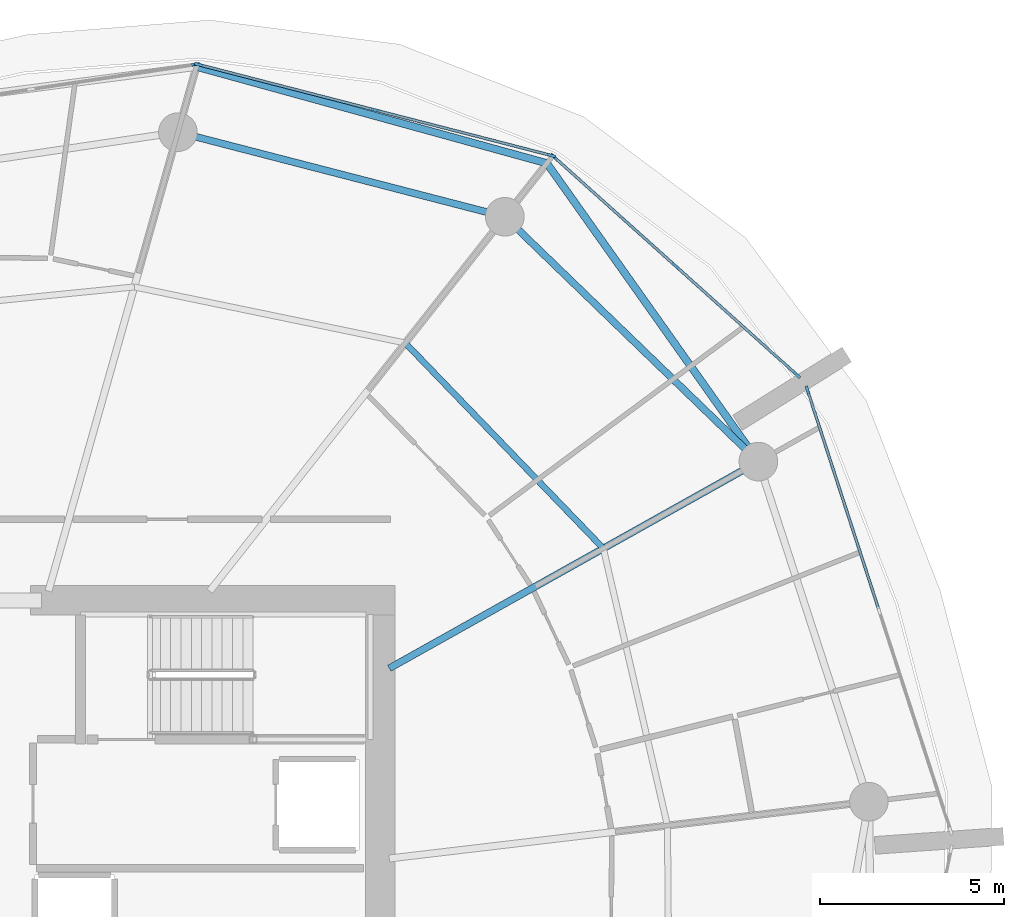
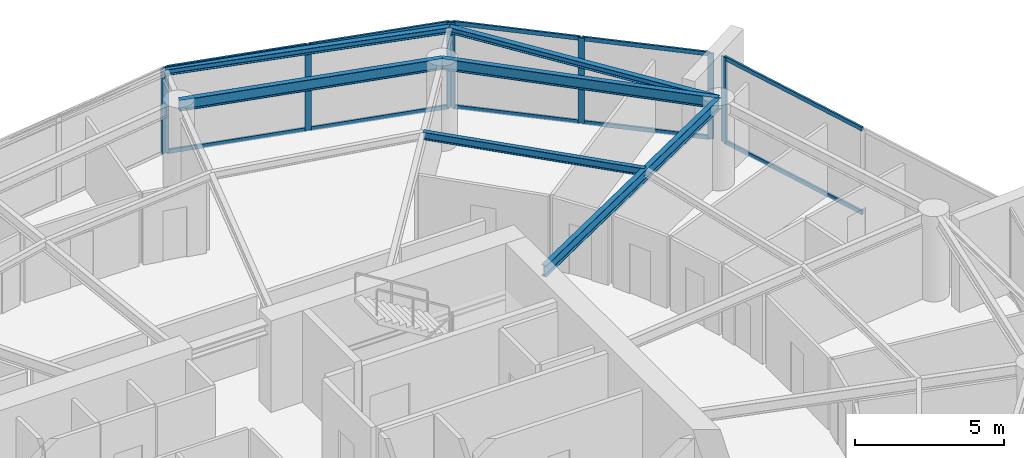
# One storey, part 10 of 17: 18 members, 6 beams, 4 elements without a shape of their own.
"""IFC4 building model written with IfcOpenShell, lengths in metres."""

import ifcopenshell
import ifcopenshell.guid

model = None  # the IFC model being written
_history = None  # IfcOwnerHistory: only IFC2X3 demands one
_inside = {}  # id of a spatial element -> (the spatial element, [elements in it])
_under = {}  # id of a project, library or spatial element -> (it, [spatial elements below it])
_declared = {}  # id of a project -> (the project, [libraries it declares])
_typed = {}  # id of a type object -> (the type object, [elements of that type])
_made_of = {}  # id of a material, layer set ... -> (it, [elements and type objects made of it])


def new_model(schema):
    """Start an empty IFC model of exactly this schema.

    Asked for "IFC4X3", IfcOpenShell would pick the latest addendum, in which some entities
    have other attributes; the version numbers below select the first issue.
    IFC2X3 requires an IfcOwnerHistory on every rooted entity: one is made here for all.
    """
    global model, _history
    if schema == "IFC4X3":
        model = ifcopenshell.file(schema_version=(4, 3, 0, 0))
    else:
        model = ifcopenshell.file(schema=schema)
    _inside.clear()
    _under.clear()
    _declared.clear()
    _typed.clear()
    _made_of.clear()
    _history = None
    if model.schema == "IFC2X3":
        org = make("IfcOrganization", Name="unknown")
        user = make(
            "IfcPersonAndOrganization",
            ThePerson=make("IfcPerson", FamilyName="unknown"),
            TheOrganization=org,
        )
        app = make(
            "IfcApplication",
            ApplicationDeveloper=org,
            Version="unknown",
            ApplicationFullName="unknown",
            ApplicationIdentifier="unknown",
        )
        _history = make(
            "IfcOwnerHistory",
            OwningUser=user,
            OwningApplication=app,
            ChangeAction="ADDED",
            CreationDate=0,
        )
    return model


def make(cls, **values):
    """One entity of the class cls with the attributes given. An attribute that is None is left unset."""
    return model.create_entity(
        cls, **{name: value for name, value in values.items() if value is not None}
    )


def rooted(cls, **values):
    """An entity with a GlobalId (a new one), such as an element, a storey or a relation."""
    return make(cls, GlobalId=ifcopenshell.guid.new(), OwnerHistory=_history, **values)


def si_unit(unit_type, name, prefix=None):
    """IfcSIUnit, for example si_unit("LENGTHUNIT", "METRE", prefix="MILLI")."""
    return make("IfcSIUnit", UnitType=unit_type, Prefix=prefix, Name=name)


def assignment(units):
    """IfcUnitAssignment: the units of a project."""
    return None if units is None else make("IfcUnitAssignment", Units=units)


def point(xyz):
    """IfcCartesianPoint."""
    return None if xyz is None else make("IfcCartesianPoint", Coordinates=xyz)


def direction(xyz):
    """IfcDirection."""
    return None if xyz is None else make("IfcDirection", DirectionRatios=xyz)


def frame(location, z_axis=None, x_axis=None):
    """IfcAxis2Placement3D, a coordinate frame: its origin and axes. An axis left out is left unset."""
    return make(
        "IfcAxis2Placement3D",
        Location=point(location),
        Axis=direction(z_axis),
        RefDirection=direction(x_axis),
    )


def frame_2d(location, x_axis=None):
    """IfcAxis2Placement2D, a coordinate frame in the plane: its origin and x axis."""
    return make(
        "IfcAxis2Placement2D", Location=point(location), RefDirection=direction(x_axis)
    )


def origin():
    """The frame at (0, 0, 0) with its axes left unset."""
    return frame((0.0, 0.0, 0.0))


def origin_2d():
    """The frame at (0, 0) in the plane with its x axis left unset."""
    return frame_2d((0.0, 0.0))


def place(relative_to, where):
    """IfcLocalPlacement: puts the frame where relative to a parent placement (None: the world)."""
    return make(
        "IfcLocalPlacement", PlacementRelTo=relative_to, RelativePlacement=where
    )


def context(
    kind, dimensions, precision=None, world=None, true_north=None, identifier=None
):
    """IfcGeometricRepresentationContext, for example the 3D "Model" context."""
    return make(
        "IfcGeometricRepresentationContext",
        ContextIdentifier=identifier,
        ContextType=kind,
        CoordinateSpaceDimension=dimensions,
        Precision=precision,
        WorldCoordinateSystem=world,
        TrueNorth=true_north,
    )


def subcontext(parent, identifier, kind, view, scale=None):
    """IfcGeometricRepresentationSubContext, for example "Body" below "Model"."""
    return make(
        "IfcGeometricRepresentationSubContext",
        ContextIdentifier=identifier,
        ContextType=kind,
        ParentContext=parent,
        TargetScale=scale,
        TargetView=view,
    )


def project(units=None, contexts=None):
    """IfcProject with its units and contexts."""
    return rooted(
        "IfcProject",
        Name="project",
        RepresentationContexts=contexts,
        UnitsInContext=assignment(units),
    )


def spatial(cls, under=None, at=None, **own):
    """A site, building, storey or space (cls), placed at a placement, below another one or the project."""
    s = rooted(cls, ObjectPlacement=at, **own)
    if under is not None:
        _under.setdefault(under.id(), (under, []))[1].append(s)
    return s


def profile(cls, at=None, kind="AREA", **sizes):
    """A parametric profile (cls). Its sizes go by their IFC names, for example OverallWidth=200.0."""
    return make(cls, ProfileType=kind, Position=at, **sizes)


def rectangle(**sizes):
    """IfcRectangleProfileDef."""
    return profile("IfcRectangleProfileDef", **sizes)


def i_section(**sizes):
    """IfcIShapeProfileDef."""
    return profile("IfcIShapeProfileDef", **sizes)


def extrude(swept, where, along, depth):
    """IfcExtrudedAreaSolid: the profile swept, set in the frame where, extruded along a direction by depth."""
    return make(
        "IfcExtrudedAreaSolid",
        SweptArea=swept,
        Position=where,
        ExtrudedDirection=direction(along),
        Depth=depth,
    )


def shape(context_of_items, identifier, shape_type, items):
    """IfcShapeRepresentation: the items that make up one representation, for example the "Body"."""
    return make(
        "IfcShapeRepresentation",
        ContextOfItems=context_of_items,
        RepresentationIdentifier=identifier,
        RepresentationType=shape_type,
        Items=items,
    )


def material(Name=None, Category=None):
    """IfcMaterial."""
    return make("IfcMaterial", Name=Name, Category=Category)


def layer(
    of_material, thickness, ventilated=None, Name=None, Category=None, Priority=None
):
    """IfcMaterialLayer: one layer of a wall or slab, of a material (None: an air gap)."""
    return make(
        "IfcMaterialLayer",
        Material=of_material,
        LayerThickness=thickness,
        IsVentilated=ventilated,
        Name=Name,
        Category=Category,
        Priority=Priority,
    )


def layer_set(layers, Name=None):
    """IfcMaterialLayerSet."""
    return make("IfcMaterialLayerSet", MaterialLayers=layers, LayerSetName=Name)


def material_profile(
    of_material, cross_section, Name=None, Category=None, Priority=None
):
    """IfcMaterialProfile: a cross section and its material."""
    return make(
        "IfcMaterialProfile",
        Name=Name,
        Material=of_material,
        Profile=cross_section,
        Priority=Priority,
        Category=Category,
    )


def profile_set(profiles, Name=None, composite=None):
    """IfcMaterialProfileSet."""
    return make(
        "IfcMaterialProfileSet",
        Name=Name,
        MaterialProfiles=profiles,
        CompositeProfile=composite,
    )


def made_of(thing, what):
    """Note that an element or type object is made of a material, layer set ...; save() writes the relation."""
    if what is not None:
        _made_of.setdefault(what.id(), (what, []))[1].append(thing)
    return thing


def type_object(cls, material=None, **own):
    """A type object (cls), such as IfcWallType, which elements share."""
    return made_of(rooted(cls, **own), material)


def element(
    cls,
    number,
    at=None,
    inside=None,
    cuts=None,
    type_object=None,
    material=None,
    context=None,
    identifier="Body",
    shape_type=None,
    held_by="IfcProductDefinitionShape",
    body=None,
    shapes=None,
    **own,
):
    """One element of the class cls, such as IfcWall. Its Tag is "e" and its number.

    at: its placement. inside: the storey or other place that contains it. cuts: it is an
    opening in that element (IfcRelVoidsElement). A single representation is given by context,
    identifier, shape_type and body (its items); several are given by shapes. held_by: the class
    of the entity that holds the representations. save() writes the other relations.
    """
    e = rooted(cls, Tag="e%d" % number, ObjectPlacement=at, **own)
    if body is not None:
        shapes = [shape(context, identifier, shape_type, body)]
    if shapes is not None:
        e.Representation = make(held_by, Representations=shapes)
    if inside is not None:
        _inside.setdefault(inside.id(), (inside, []))[1].append(e)
    if cuts is not None:
        rooted(
            "IfcRelVoidsElement", RelatingBuildingElement=cuts, RelatedOpeningElement=e
        )
    if type_object is not None:
        _typed.setdefault(type_object.id(), (type_object, []))[1].append(e)
    return made_of(e, material)


def aggregate(whole, parts):
    """IfcRelAggregates: a whole, such as a stair, and the parts it consists of."""
    return rooted("IfcRelAggregates", RelatingObject=whole, RelatedObjects=parts)


def save(model, path):
    """Write the relations noted so far, then the file.

    IfcRelAggregates (storeys below a building ...), IfcRelContainedInSpatialStructure (elements
    in a storey), IfcRelDefinesByType, IfcRelAssociatesMaterial and IfcRelDeclares: one each for
    every whole, place, type object, material and project.
    """
    for whole, parts in _under.values():
        aggregate(whole, parts)
    for where, things in _inside.values():
        rooted(
            "IfcRelContainedInSpatialStructure",
            RelatedElements=things,
            RelatingStructure=where,
        )
    for kind, things in _typed.values():
        rooted("IfcRelDefinesByType", RelatedObjects=things, RelatingType=kind)
    for what, things in _made_of.values():
        rooted("IfcRelAssociatesMaterial", RelatedObjects=things, RelatingMaterial=what)
    for by, libraries in _declared.values():
        rooted("IfcRelDeclares", RelatingContext=by, RelatedDefinitions=libraries)
    model.write(path)


model = new_model("IFC4")

# Units and contexts
model_context = context("Model", 3, precision=1e-05, world=origin(), true_north=direction((0.0, 1.0)))
body_context = subcontext(model_context, "Body", "Model", "MODEL_VIEW")
ifc_project = project(units=[si_unit("LENGTHUNIT", "METRE"), si_unit("AREAUNIT", "SQUARE_METRE"), si_unit("VOLUMEUNIT", "CUBIC_METRE"), si_unit("PLANEANGLEUNIT", "RADIAN"), si_unit("MASSUNIT", "GRAM", prefix="KILO")], contexts=[model_context])

# Site, building, storey
site_placement = place(None, origin())
site = spatial("IfcSite", under=ifc_project, at=site_placement, CompositionType="ELEMENT")
building_placement = place(site_placement, origin())
building = spatial("IfcBuilding", under=site, at=building_placement, Name="Kazma Halo Residences", CompositionType="ELEMENT")
storey_placement = place(building_placement, frame((0.0, 0.0, 127.800048828125)))
storey = spatial("IfcBuildingStorey", under=building, at=storey_placement, Name="L31", CompositionType="ELEMENT", Elevation=127.800048828125)

# Beams
ifc_material_1 = material(Name="Steel S355", Category="steel")
ifc_material_profile_1 = material_profile(ifc_material_1, i_section(OverallWidth=0.201904296875, OverallDepth=0.2470703125, WebThickness=0.00732421875, FlangeThickness=0.010986328125, FilletRadius=0.011962890625, at=origin_2d()), Name="W250x49.1")
ifc_profile_set_1 = profile_set([ifc_material_profile_1], Name="Steel S355")
beam_type_1 = type_object("IfcBeamType", Name="BM-BAL-CANT", PredefinedType="BEAM", material=ifc_profile_set_1)
beam_1_placement = place(storey_placement, frame((69.730224609375, 54.16943359375, 3.37646484375), z_axis=(-0.578203432081, 0.81589263456, 0.0), x_axis=(-0.81589263456, -0.578203432081, 0.0)))
element("IfcBeam", 1, at=beam_1_placement, inside=storey, type_object=beam_type_1, Name="L31 wave-balcony lead tie beam 01", PredefinedType="BEAM", context=body_context, shape_type="SweptSolid", body=[
    extrude(i_section(OverallWidth=0.201904296875, OverallDepth=0.2470703125, WebThickness=0.00732421875, FlangeThickness=0.010986328125, FilletRadius=0.011962890625, at=origin_2d()), origin(), (0.0, 0.0, 1.0), 9.9365234375),
])
beam_2_placement = place(storey_placement, frame((63.98486328125, 62.276611328125, 3.37646484375), z_axis=(-0.964045237638, 0.265738179019, 0.0), x_axis=(-0.265738179019, -0.964045237638, 0.0)))
element("IfcBeam", 2, at=beam_2_placement, inside=storey, type_object=beam_type_1, Name="L31 wave-balcony tie beam 02", PredefinedType="BEAM", context=body_context, shape_type="SweptSolid", body=[
    extrude(i_section(OverallWidth=0.201904296875, OverallDepth=0.2470703125, WebThickness=0.00732421875, FlangeThickness=0.010986328125, FilletRadius=0.011962890625, at=origin_2d()), origin(), (0.0, 0.0, 1.0), 9.880859375),
])
ifc_material_profile_2 = material_profile(ifc_material_1, i_section(OverallWidth=0.18994140625, OverallDepth=0.45703125, WebThickness=0.009033203125, FlangeThickness=0.014404296875, FilletRadius=0.01611328125, at=origin_2d()), Name="W460x74")
ifc_profile_set_2 = profile_set([ifc_material_profile_2], Name="Steel S355")
beam_type_2 = type_object("IfcBeamType", Name="BM-RAD-W460", PredefinedType="BEAM", material=ifc_profile_set_2)
beam_3_placement = place(storey_placement, frame((59.699951171875, 48.55224609375, 3.271484375), z_axis=(0.872497324456, 0.488618889132, 0.0), x_axis=(-0.488618889132, 0.872497324456, 0.0)))
element("IfcBeam", 3, at=beam_3_placement, inside=storey, type_object=beam_type_2, Name="L31 radial floor beam 01", PredefinedType="BEAM", context=body_context, shape_type="SweptSolid", body=[
    extrude(i_section(OverallWidth=0.18994140625, OverallDepth=0.45703125, WebThickness=0.009033203125, FlangeThickness=0.014404296875, FilletRadius=0.01611328125, at=origin_2d()), origin(), (0.0, 0.0, 1.0), 11.49609375),
])
ifc_material_profile_3 = material_profile(ifc_material_1, i_section(OverallWidth=0.1650390625, OverallDepth=0.31005859375, WebThickness=0.005859375, FlangeThickness=0.009765625, FilletRadius=0.011962890625, at=origin_2d()), Name="W310x38.7")
ifc_profile_set_3 = profile_set([ifc_material_profile_3], Name="Steel S355")
beam_type_3 = type_object("IfcBeamType", Name="BM-SEC-W310B", PredefinedType="JOIST", material=ifc_profile_set_3)
beam_4_placement = place(storey_placement, frame((65.517578125, 51.810302734375, 3.344970703125), z_axis=(-0.694049338985, 0.719927437354, 0.0), x_axis=(-0.719927437354, -0.694049338985, 0.0)))
element("IfcBeam", 4, at=beam_4_placement, inside=storey, type_object=beam_type_3, Name="L31 circumferential floor joist 01", PredefinedType="JOIST", context=body_context, shape_type="SweptSolid", body=[
    extrude(i_section(OverallWidth=0.1650390625, OverallDepth=0.31005859375, WebThickness=0.005859375, FlangeThickness=0.009765625, FilletRadius=0.011962890625, at=origin_2d()), origin(), (0.0, 0.0, 1.0), 7.7548828125),
])
ifc_material_profile_4 = material_profile(ifc_material_1, i_section(OverallWidth=0.18994140625, OverallDepth=0.45703125, WebThickness=0.009033203125, FlangeThickness=0.014404296875, FilletRadius=0.01611328125, at=origin_2d()), Name="W460x74")
ifc_profile_set_4 = profile_set([ifc_material_profile_4], Name="Steel S355")
beam_type_4 = type_object("IfcBeamType", Name="BM-SPN-W460", PredefinedType="BEAM", material=ifc_profile_set_4)
beam_5_placement = place(storey_placement, frame((69.730224609375, 54.16943359375, 3.271484375), z_axis=(-0.719334705845, 0.694663645923, 0.0), x_axis=(-0.694663645923, -0.719334705845, 0.0)))
element("IfcBeam", 5, at=beam_5_placement, inside=storey, type_object=beam_type_4, Name="L31 perimeter ring beam 01", PredefinedType="BEAM", context=body_context, shape_type="SweptSolid", body=[
    extrude(i_section(OverallWidth=0.18994140625, OverallDepth=0.45703125, WebThickness=0.009033203125, FlangeThickness=0.014404296875, FilletRadius=0.01611328125, at=origin_2d()), origin(), (0.0, 0.0, 1.0), 9.5791015625),
])
beam_6_placement = place(storey_placement, frame((62.839599609375, 60.82373046875, 3.271484375), z_axis=(-0.968123664213, 0.250472694699, 0.0), x_axis=(-0.250472694699, -0.968123664213, 0.0)))
element("IfcBeam", 6, at=beam_6_placement, inside=storey, type_object=beam_type_4, Name="L31 perimeter ring beam 02", PredefinedType="BEAM", context=body_context, shape_type="SweptSolid", body=[
    extrude(i_section(OverallWidth=0.18994140625, OverallDepth=0.45703125, WebThickness=0.009033203125, FlangeThickness=0.014404296875, FilletRadius=0.01611328125, at=origin_2d()), origin(), (0.0, 0.0, 1.0), 9.175048828125),
])

# Curtain wall, members
ifc_material_2 = material(Name="Aluminium AW-6063 T6 and Triple-Silver Low-E Glass", Category="aluminium")
ifc_layer = layer(ifc_material_2, 0.219970703125)
ifc_layer_set = layer_set([ifc_layer], Name="Aluminium AW-6063 T6 and Triple-Silver Low-E Glass")
curtain_wall_type = type_object("IfcCurtainWallType", Name="CW-SYS-4", PredefinedType="NOTDEFINED", material=ifc_layer_set)
curtain_wall_1_placement = place(storey_placement, origin())
curtain_wall_1 = element("IfcCurtainWall", 7, at=curtain_wall_1_placement, inside=storey, type_object=curtain_wall_type, Name="L31 unitised curtain wall B01", PredefinedType="NOTDEFINED")
ifc_material_3 = material(Name="Aluminium AW-6063 T6", Category="aluminium")
ifc_material_profile_5 = material_profile(ifc_material_3, rectangle(XDim=0.074951171875, YDim=0.219970703125, at=origin_2d()), Name="CWM-75x220")
ifc_profile_set_5 = profile_set([ifc_material_profile_5], Name="Aluminium AW-6063 T6")
member_type_1 = type_object("IfcMemberType", Name="CW-SYS-4-MUL", PredefinedType="MULLION", material=ifc_profile_set_5)
member_1_placement = place(storey_placement, frame((70.778564453125, 56.5263671875, 0.0), z_axis=(0.0, 0.0, 1.0), x_axis=(-0.667770096247, -0.744367582957, 0.0)))
member_1 = element("IfcMember", 8, at=member_1_placement, type_object=member_type_1, Name="CWS-4 mullion 1", PredefinedType="MULLION", context=body_context, shape_type="SweptSolid", body=[
    extrude(rectangle(XDim=0.074951171875, YDim=0.219970703125, at=origin_2d()), origin(), (0.0, 0.0, 1.0), 3.5),
])
member_2_placement = place(storey_placement, frame((67.47509765625, 59.48974609375, 0.0), z_axis=(0.0, 0.0, 1.0), x_axis=(-0.667770096247, -0.744367582957, 0.0)))
member_2 = element("IfcMember", 9, at=member_2_placement, type_object=member_type_1, Name="CWS-4 mullion 2", PredefinedType="MULLION", context=body_context, shape_type="SweptSolid", body=[
    extrude(rectangle(XDim=0.074951171875, YDim=0.219970703125, at=origin_2d()), origin(), (0.0, 0.0, 1.0), 3.5),
])
member_3_placement = place(storey_placement, frame((64.171630859375, 62.453369140625, 0.0), z_axis=(0.0, 0.0, 1.0), x_axis=(-0.667770096247, -0.744367582957, 0.0)))
member_3 = element("IfcMember", 10, at=member_3_placement, type_object=member_type_1, Name="CWS-4 mullion 3", PredefinedType="MULLION", context=body_context, shape_type="SweptSolid", body=[
    extrude(rectangle(XDim=0.074951171875, YDim=0.219970703125, at=origin_2d()), origin(), (0.0, 0.0, 1.0), 3.5),
])

curtain_wall_2_placement = place(storey_placement, origin())
curtain_wall_2 = element("IfcCurtainWall", 11, at=curtain_wall_2_placement, inside=storey, type_object=curtain_wall_type, Name="L31 unitised curtain wall B02", PredefinedType="NOTDEFINED")
member_4_placement = place(storey_placement, frame((64.107421875, 62.487548828125, 0.0), z_axis=(0.0, 0.0, 1.0), x_axis=(-0.249478648955, -0.968380299116, 0.0)))
member_4 = element("IfcMember", 12, at=member_4_placement, type_object=member_type_1, Name="CWS-4 mullion 1", PredefinedType="MULLION", context=body_context, shape_type="SweptSolid", body=[
    extrude(rectangle(XDim=0.074951171875, YDim=0.219970703125, at=origin_2d()), origin(), (0.0, 0.0, 1.0), 3.5),
])
member_5_placement = place(storey_placement, frame((59.310791015625, 63.723388671875, 0.0), z_axis=(0.0, 0.0, 1.0), x_axis=(-0.249478648955, -0.968380299116, 0.0)))
member_5 = element("IfcMember", 13, at=member_5_placement, type_object=member_type_1, Name="CWS-4 mullion 2", PredefinedType="MULLION", context=body_context, shape_type="SweptSolid", body=[
    extrude(rectangle(XDim=0.074951171875, YDim=0.219970703125, at=origin_2d()), origin(), (0.0, 0.0, 1.0), 3.5),
])
member_6_placement = place(storey_placement, frame((54.51416015625, 64.959228515625, 0.0), z_axis=(0.0, 0.0, 1.0), x_axis=(-0.249478648955, -0.968380299116, 0.0)))
member_6 = element("IfcMember", 14, at=member_6_placement, type_object=member_type_1, Name="CWS-4 mullion 3", PredefinedType="MULLION", context=body_context, shape_type="SweptSolid", body=[
    extrude(rectangle(XDim=0.074951171875, YDim=0.219970703125, at=origin_2d()), origin(), (0.0, 0.0, 1.0), 3.5),
])

# Curtain wall, member
curtain_wall_3_placement = place(storey_placement, origin())
curtain_wall_3 = element("IfcCurtainWall", 15, at=curtain_wall_3_placement, inside=storey, type_object=curtain_wall_type, Name="L31 unitised curtain wall B03", PredefinedType="NOTDEFINED")
member_7_placement = place(storey_placement, frame((54.440673828125, 64.962890625, 0.0), z_axis=(0.0, 0.0, 1.0), x_axis=(0.148821022686, -0.988864148004, 0.0)))
member_7 = element("IfcMember", 16, at=member_7_placement, type_object=member_type_1, Name="CWS-4 mullion 1", PredefinedType="MULLION", context=body_context, shape_type="SweptSolid", body=[
    extrude(rectangle(XDim=0.074951171875, YDim=0.219970703125, at=origin_2d()), origin(), (0.0, 0.0, 1.0), 3.5),
])
aggregate(curtain_wall_3, [member_7])

curtain_wall_4_placement = place(storey_placement, origin())
curtain_wall_4 = element("IfcCurtainWall", 17, at=curtain_wall_4_placement, inside=storey, type_object=curtain_wall_type, Name="L31 unitised curtain wall B16", PredefinedType="NOTDEFINED")
member_8_placement = place(storey_placement, frame((71.062255859375, 56.117431640625, 0.0), z_axis=(0.0, 0.0, 1.0), x_axis=(-0.951057547609, -0.3090138203, 0.0)))
member_8 = element("IfcMember", 18, at=member_8_placement, type_object=member_type_1, Name="CWS-4 mullion 3", PredefinedType="MULLION", context=body_context, shape_type="SweptSolid", body=[
    extrude(rectangle(XDim=0.074951171875, YDim=0.219970703125, at=origin_2d()), origin(), (0.0, 0.0, 1.0), 3.5),
])

# Member
ifc_material_profile_6 = material_profile(ifc_material_3, rectangle(XDim=0.074951171875, YDim=0.1650390625, at=origin_2d()), Name="CWT-75x165")
ifc_profile_set_6 = profile_set([ifc_material_profile_6], Name="Aluminium AW-6063 T6")
member_type_2 = type_object("IfcMemberType", Name="CW-SYS-4-TRN", PredefinedType="USERDEFINED", material=ifc_profile_set_6)
member_9_placement = place(storey_placement, frame((70.75048828125, 56.55126953125, 0.037353515625), z_axis=(-0.744344978888, 0.66779529229, 0.0), x_axis=(-0.66779529229, -0.744344978888, 0.0)))
member_9 = element("IfcMember", 19, at=member_9_placement, type_object=member_type_2, Name="CWS-4 transom 1.1", ObjectType="TRANSOM", PredefinedType="USERDEFINED", context=body_context, shape_type="SweptSolid", body=[
    extrude(rectangle(XDim=0.074951171875, YDim=0.1650390625, at=origin_2d()), origin(), (0.0, 0.0, 1.0), 4.363037109375),
])

member_10_placement = place(storey_placement, frame((70.75048828125, 56.55126953125, 3.46240234375), z_axis=(-0.744344978888, 0.66779529229, 0.0), x_axis=(-0.66779529229, -0.744344978888, 0.0)))
member_10 = element("IfcMember", 20, at=member_10_placement, type_object=member_type_2, Name="CWS-4 transom 1.2", ObjectType="TRANSOM", PredefinedType="USERDEFINED", context=body_context, shape_type="SweptSolid", body=[
    extrude(rectangle(XDim=0.074951171875, YDim=0.1650390625, at=origin_2d()), origin(), (0.0, 0.0, 1.0), 4.363037109375),
])

member_11_placement = place(storey_placement, frame((67.447265625, 59.514892578125, 0.037353515625), z_axis=(-0.744372794017, 0.667764287401, 0.0), x_axis=(-0.667764287401, -0.744372794017, 0.0)))
member_11 = element("IfcMember", 21, at=member_11_placement, type_object=member_type_2, Name="CWS-4 transom 2.1", ObjectType="TRANSOM", PredefinedType="USERDEFINED", context=body_context, shape_type="SweptSolid", body=[
    extrude(rectangle(XDim=0.074951171875, YDim=0.1650390625, at=origin_2d()), origin(), (0.0, 0.0, 1.0), 4.36279296875),
])

member_12_placement = place(storey_placement, frame((67.447265625, 59.514892578125, 3.46240234375), z_axis=(-0.744372794017, 0.667764287401, 0.0), x_axis=(-0.667764287401, -0.744372794017, 0.0)))
member_12 = element("IfcMember", 22, at=member_12_placement, type_object=member_type_2, Name="CWS-4 transom 2.2", ObjectType="TRANSOM", PredefinedType="USERDEFINED", context=body_context, shape_type="SweptSolid", body=[
    extrude(rectangle(XDim=0.074951171875, YDim=0.1650390625, at=origin_2d()), origin(), (0.0, 0.0, 1.0), 4.36279296875),
])

aggregate(curtain_wall_1, [member_1, member_2, member_3, member_9, member_10, member_11, member_12])

member_13_placement = place(storey_placement, frame((64.0712890625, 62.4970703125, 0.037353515625), z_axis=(-0.968380749411, 0.249476901076, 0.0), x_axis=(-0.249476901076, -0.968380749411, 0.0)))
member_13 = element("IfcMember", 23, at=member_13_placement, type_object=member_type_2, Name="CWS-4 transom 1.1", ObjectType="TRANSOM", PredefinedType="USERDEFINED", context=body_context, shape_type="SweptSolid", body=[
    extrude(rectangle(XDim=0.074951171875, YDim=0.1650390625, at=origin_2d()), origin(), (0.0, 0.0, 1.0), 4.87841796875),
])

member_14_placement = place(storey_placement, frame((64.0712890625, 62.4970703125, 3.46240234375), z_axis=(-0.968380749411, 0.249476901076, 0.0), x_axis=(-0.249476901076, -0.968380749411, 0.0)))
member_14 = element("IfcMember", 24, at=member_14_placement, type_object=member_type_2, Name="CWS-4 transom 1.2", ObjectType="TRANSOM", PredefinedType="USERDEFINED", context=body_context, shape_type="SweptSolid", body=[
    extrude(rectangle(XDim=0.074951171875, YDim=0.1650390625, at=origin_2d()), origin(), (0.0, 0.0, 1.0), 4.87841796875),
])

member_15_placement = place(storey_placement, frame((59.2744140625, 63.732666015625, 0.037353515625), z_axis=(-0.968377634415, 0.24948899207, 0.0), x_axis=(-0.24948899207, -0.968377634415, 0.0)))
member_15 = element("IfcMember", 25, at=member_15_placement, type_object=member_type_2, Name="CWS-4 transom 2.1", ObjectType="TRANSOM", PredefinedType="USERDEFINED", context=body_context, shape_type="SweptSolid", body=[
    extrude(rectangle(XDim=0.074951171875, YDim=0.1650390625, at=origin_2d()), origin(), (0.0, 0.0, 1.0), 4.878173828125),
])

member_16_placement = place(storey_placement, frame((59.2744140625, 63.732666015625, 3.46240234375), z_axis=(-0.968377634415, 0.24948899207, 0.0), x_axis=(-0.24948899207, -0.968377634415, 0.0)))
member_16 = element("IfcMember", 26, at=member_16_placement, type_object=member_type_2, Name="CWS-4 transom 2.2", ObjectType="TRANSOM", PredefinedType="USERDEFINED", context=body_context, shape_type="SweptSolid", body=[
    extrude(rectangle(XDim=0.074951171875, YDim=0.1650390625, at=origin_2d()), origin(), (0.0, 0.0, 1.0), 4.878173828125),
])

aggregate(curtain_wall_2, [member_4, member_5, member_6, member_13, member_14, member_15, member_16])

member_17_placement = place(storey_placement, frame((72.99755859375, 50.16162109375, 0.037353515625), z_axis=(-0.309017784977, 0.951056259413, 0.0), x_axis=(-0.951056259413, -0.309017784977, 0.0)))
member_17 = element("IfcMember", 27, at=member_17_placement, type_object=member_type_2, Name="CWS-4 transom 2.1", ObjectType="TRANSOM", PredefinedType="USERDEFINED", context=body_context, shape_type="SweptSolid", body=[
    extrude(rectangle(XDim=0.074951171875, YDim=0.1650390625, at=origin_2d()), origin(), (0.0, 0.0, 1.0), 6.224853515625),
])

member_18_placement = place(storey_placement, frame((72.99755859375, 50.16162109375, 3.46240234375), z_axis=(-0.309017784977, 0.951056259413, 0.0), x_axis=(-0.951056259413, -0.309017784977, 0.0)))
member_18 = element("IfcMember", 28, at=member_18_placement, type_object=member_type_2, Name="CWS-4 transom 2.2", ObjectType="TRANSOM", PredefinedType="USERDEFINED", context=body_context, shape_type="SweptSolid", body=[
    extrude(rectangle(XDim=0.074951171875, YDim=0.1650390625, at=origin_2d()), origin(), (0.0, 0.0, 1.0), 6.224853515625),
])

aggregate(curtain_wall_4, [member_8, member_17, member_18])

save(model, "model.ifc")
